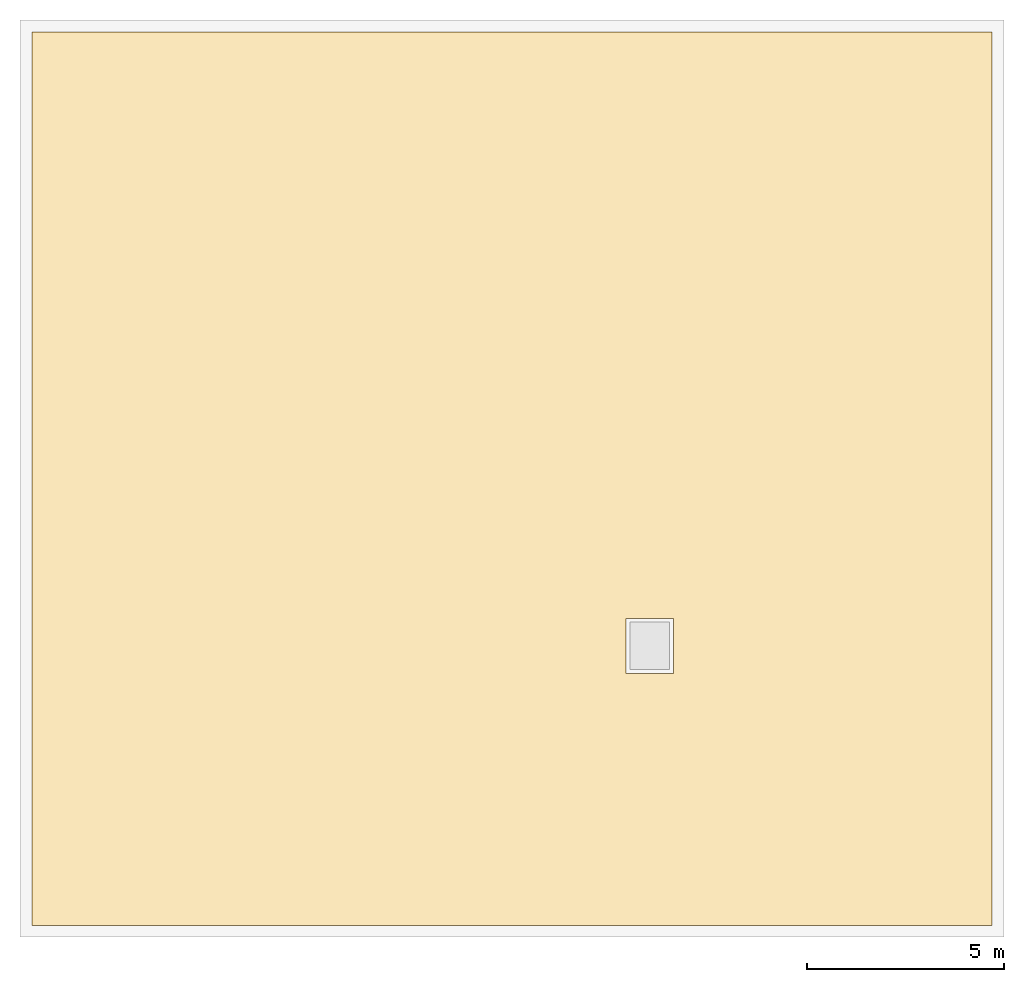
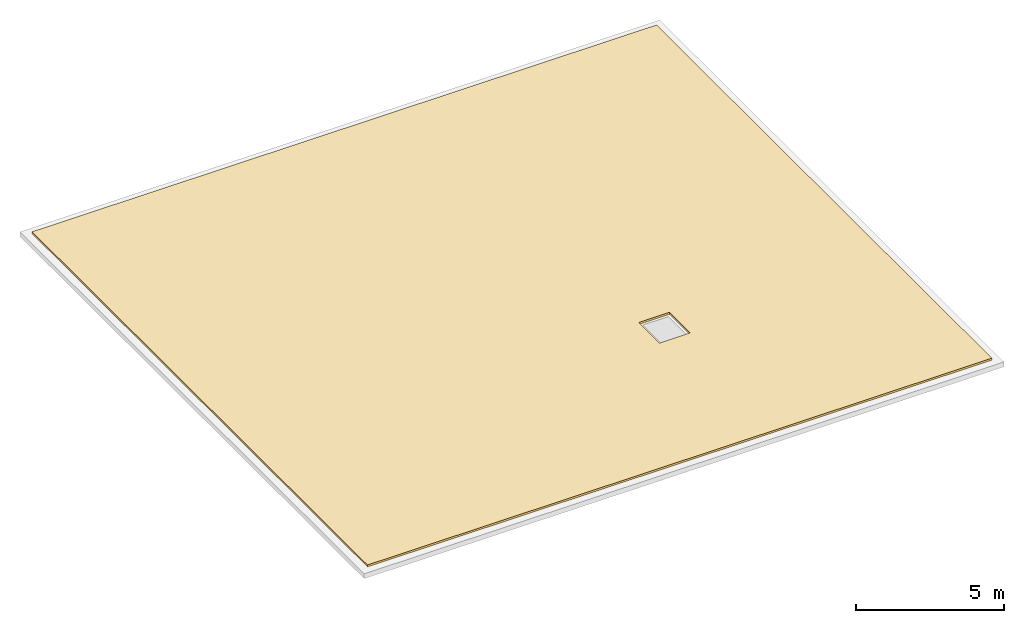
# One storey, part 2 of 2: 1 covering.
"""IFC4 building model written with IfcOpenShell, lengths in metres."""

import ifcopenshell
import ifcopenshell.guid

model = None  # the IFC model being written
_history = None  # IfcOwnerHistory: only IFC2X3 demands one
_inside = {}  # id of a spatial element -> (the spatial element, [elements in it])
_under = {}  # id of a project, library or spatial element -> (it, [spatial elements below it])
_declared = {}  # id of a project -> (the project, [libraries it declares])
_typed = {}  # id of a type object -> (the type object, [elements of that type])
_made_of = {}  # id of a material, layer set ... -> (it, [elements and type objects made of it])


def new_model(schema):
    """Start an empty IFC model of exactly this schema.

    Asked for "IFC4X3", IfcOpenShell would pick the latest addendum, in which some entities
    have other attributes; the version numbers below select the first issue.
    IFC2X3 requires an IfcOwnerHistory on every rooted entity: one is made here for all.
    """
    global model, _history
    if schema == "IFC4X3":
        model = ifcopenshell.file(schema_version=(4, 3, 0, 0))
    else:
        model = ifcopenshell.file(schema=schema)
    _inside.clear()
    _under.clear()
    _declared.clear()
    _typed.clear()
    _made_of.clear()
    _history = None
    if model.schema == "IFC2X3":
        org = make("IfcOrganization", Name="unknown")
        user = make(
            "IfcPersonAndOrganization",
            ThePerson=make("IfcPerson", FamilyName="unknown"),
            TheOrganization=org,
        )
        app = make(
            "IfcApplication",
            ApplicationDeveloper=org,
            Version="unknown",
            ApplicationFullName="unknown",
            ApplicationIdentifier="unknown",
        )
        _history = make(
            "IfcOwnerHistory",
            OwningUser=user,
            OwningApplication=app,
            ChangeAction="ADDED",
            CreationDate=0,
        )
    return model


def make(cls, **values):
    """One entity of the class cls with the attributes given. An attribute that is None is left unset."""
    return model.create_entity(
        cls, **{name: value for name, value in values.items() if value is not None}
    )


def rooted(cls, **values):
    """An entity with a GlobalId (a new one), such as an element, a storey or a relation."""
    return make(cls, GlobalId=ifcopenshell.guid.new(), OwnerHistory=_history, **values)


def si_unit(unit_type, name, prefix=None):
    """IfcSIUnit, for example si_unit("LENGTHUNIT", "METRE", prefix="MILLI")."""
    return make("IfcSIUnit", UnitType=unit_type, Prefix=prefix, Name=name)


def assignment(units):
    """IfcUnitAssignment: the units of a project."""
    return None if units is None else make("IfcUnitAssignment", Units=units)


def point(xyz):
    """IfcCartesianPoint."""
    return None if xyz is None else make("IfcCartesianPoint", Coordinates=xyz)


def direction(xyz):
    """IfcDirection."""
    return None if xyz is None else make("IfcDirection", DirectionRatios=xyz)


def frame(location, z_axis=None, x_axis=None):
    """IfcAxis2Placement3D, a coordinate frame: its origin and axes. An axis left out is left unset."""
    return make(
        "IfcAxis2Placement3D",
        Location=point(location),
        Axis=direction(z_axis),
        RefDirection=direction(x_axis),
    )


def origin():
    """The frame at (0, 0, 0) with its axes left unset."""
    return frame((0.0, 0.0, 0.0))


def place(relative_to, where):
    """IfcLocalPlacement: puts the frame where relative to a parent placement (None: the world)."""
    return make(
        "IfcLocalPlacement", PlacementRelTo=relative_to, RelativePlacement=where
    )


def context(
    kind, dimensions, precision=None, world=None, true_north=None, identifier=None
):
    """IfcGeometricRepresentationContext, for example the 3D "Model" context."""
    return make(
        "IfcGeometricRepresentationContext",
        ContextIdentifier=identifier,
        ContextType=kind,
        CoordinateSpaceDimension=dimensions,
        Precision=precision,
        WorldCoordinateSystem=world,
        TrueNorth=true_north,
    )


def subcontext(parent, identifier, kind, view, scale=None):
    """IfcGeometricRepresentationSubContext, for example "Body" below "Model"."""
    return make(
        "IfcGeometricRepresentationSubContext",
        ContextIdentifier=identifier,
        ContextType=kind,
        ParentContext=parent,
        TargetScale=scale,
        TargetView=view,
    )


def project(units=None, contexts=None):
    """IfcProject with its units and contexts."""
    return rooted(
        "IfcProject",
        Name="project",
        RepresentationContexts=contexts,
        UnitsInContext=assignment(units),
    )


def spatial(cls, under=None, at=None, **own):
    """A site, building, storey or space (cls), placed at a placement, below another one or the project."""
    s = rooted(cls, ObjectPlacement=at, **own)
    if under is not None:
        _under.setdefault(under.id(), (under, []))[1].append(s)
    return s


def polyline(points):
    """IfcPolyline through the points."""
    return make("IfcPolyline", Points=[point(p) for p in points])


def outline(outer, holes=None, kind="AREA"):
    """IfcArbitraryClosedProfileDef: a profile drawn as a closed curve; with holes, ...WithVoids."""
    if holes is None:
        return make("IfcArbitraryClosedProfileDef", ProfileType=kind, OuterCurve=outer)
    return make(
        "IfcArbitraryProfileDefWithVoids",
        ProfileType=kind,
        OuterCurve=outer,
        InnerCurves=holes,
    )


def extrude(swept, where, along, depth):
    """IfcExtrudedAreaSolid: the profile swept, set in the frame where, extruded along a direction by depth."""
    return make(
        "IfcExtrudedAreaSolid",
        SweptArea=swept,
        Position=where,
        ExtrudedDirection=direction(along),
        Depth=depth,
    )


def shape(context_of_items, identifier, shape_type, items):
    """IfcShapeRepresentation: the items that make up one representation, for example the "Body"."""
    return make(
        "IfcShapeRepresentation",
        ContextOfItems=context_of_items,
        RepresentationIdentifier=identifier,
        RepresentationType=shape_type,
        Items=items,
    )


def material(Name=None, Category=None):
    """IfcMaterial."""
    return make("IfcMaterial", Name=Name, Category=Category)


def layer(
    of_material, thickness, ventilated=None, Name=None, Category=None, Priority=None
):
    """IfcMaterialLayer: one layer of a wall or slab, of a material (None: an air gap)."""
    return make(
        "IfcMaterialLayer",
        Material=of_material,
        LayerThickness=thickness,
        IsVentilated=ventilated,
        Name=Name,
        Category=Category,
        Priority=Priority,
    )


def layer_set(layers, Name=None):
    """IfcMaterialLayerSet."""
    return make("IfcMaterialLayerSet", MaterialLayers=layers, LayerSetName=Name)


def made_of(thing, what):
    """Note that an element or type object is made of a material, layer set ...; save() writes the relation."""
    if what is not None:
        _made_of.setdefault(what.id(), (what, []))[1].append(thing)
    return thing


def type_object(cls, material=None, **own):
    """A type object (cls), such as IfcWallType, which elements share."""
    return made_of(rooted(cls, **own), material)


def element(
    cls,
    number,
    at=None,
    inside=None,
    cuts=None,
    type_object=None,
    material=None,
    context=None,
    identifier="Body",
    shape_type=None,
    held_by="IfcProductDefinitionShape",
    body=None,
    shapes=None,
    **own,
):
    """One element of the class cls, such as IfcWall. Its Tag is "e" and its number.

    at: its placement. inside: the storey or other place that contains it. cuts: it is an
    opening in that element (IfcRelVoidsElement). A single representation is given by context,
    identifier, shape_type and body (its items); several are given by shapes. held_by: the class
    of the entity that holds the representations. save() writes the other relations.
    """
    e = rooted(cls, Tag="e%d" % number, ObjectPlacement=at, **own)
    if body is not None:
        shapes = [shape(context, identifier, shape_type, body)]
    if shapes is not None:
        e.Representation = make(held_by, Representations=shapes)
    if inside is not None:
        _inside.setdefault(inside.id(), (inside, []))[1].append(e)
    if cuts is not None:
        rooted(
            "IfcRelVoidsElement", RelatingBuildingElement=cuts, RelatedOpeningElement=e
        )
    if type_object is not None:
        _typed.setdefault(type_object.id(), (type_object, []))[1].append(e)
    return made_of(e, material)


def aggregate(whole, parts):
    """IfcRelAggregates: a whole, such as a stair, and the parts it consists of."""
    return rooted("IfcRelAggregates", RelatingObject=whole, RelatedObjects=parts)


def save(model, path):
    """Write the relations noted so far, then the file.

    IfcRelAggregates (storeys below a building ...), IfcRelContainedInSpatialStructure (elements
    in a storey), IfcRelDefinesByType, IfcRelAssociatesMaterial and IfcRelDeclares: one each for
    every whole, place, type object, material and project.
    """
    for whole, parts in _under.values():
        aggregate(whole, parts)
    for where, things in _inside.values():
        rooted(
            "IfcRelContainedInSpatialStructure",
            RelatedElements=things,
            RelatingStructure=where,
        )
    for kind, things in _typed.values():
        rooted("IfcRelDefinesByType", RelatedObjects=things, RelatingType=kind)
    for what, things in _made_of.values():
        rooted("IfcRelAssociatesMaterial", RelatedObjects=things, RelatingMaterial=what)
    for by, libraries in _declared.values():
        rooted("IfcRelDeclares", RelatingContext=by, RelatedDefinitions=libraries)
    model.write(path)


model = new_model("IFC4")

# Units and contexts
model_context = context("Model", 3, precision=1e-05, world=origin(), true_north=direction((0.0, 1.0)))
body_context = subcontext(model_context, "Body", "Model", "MODEL_VIEW")
ifc_project = project(units=[si_unit("LENGTHUNIT", "METRE"), si_unit("AREAUNIT", "SQUARE_METRE"), si_unit("VOLUMEUNIT", "CUBIC_METRE"), si_unit("PLANEANGLEUNIT", "RADIAN"), si_unit("MASSUNIT", "GRAM", prefix="KILO")], contexts=[model_context])

# Site, building, storey
site_placement = place(None, origin())
site = spatial("IfcSite", under=ifc_project, at=site_placement, CompositionType="ELEMENT")
building_placement = place(site_placement, origin())
building = spatial("IfcBuilding", under=site, at=building_placement, Name="Kinhvarn Gate Tower", CompositionType="ELEMENT")
storey_placement = place(building_placement, frame((0.0, 0.0, 325.050048828125)))
storey = spatial("IfcBuildingStorey", under=building, at=storey_placement, Name="RF", CompositionType="ELEMENT", Elevation=325.050048828125)

# Covering
ifc_material = material(Name="Insulated EPDM waterproof roof build-up")
ifc_layer = layer(ifc_material, 0.080078125)
ifc_layer_set = layer_set([ifc_layer], Name="Insulated EPDM waterproof roof build-up")
covering_type = type_object("IfcCoveringType", Name="COV-ROOF-80", PredefinedType="ROOFING", material=ifc_layer_set)
covering_placement = place(storey_placement, origin())
element("IfcCovering", 1, at=covering_placement, inside=storey, type_object=covering_type, Name="Crown Waterproof EPDM Roof Covering (RF)", PredefinedType="ROOFING", context=body_context, shape_type="SweptSolid", body=[
    extrude(outline(polyline([(4.800048828125, 13.89990234375), (4.800048828125, 36.60009765625), (29.199951171875, 36.60009765625), (29.199951171875, 13.89990234375), (4.800048828125, 13.89990234375)]), holes=[polyline([(21.10009765625, 21.699951171875), (19.89990234375, 21.699951171875), (19.89990234375, 20.300048828125), (21.10009765625, 20.300048828125), (21.10009765625, 21.699951171875)])]), origin(), (0.0, 0.0, 1.0), 0.079833984375),
])

save(model, "model.ifc")
